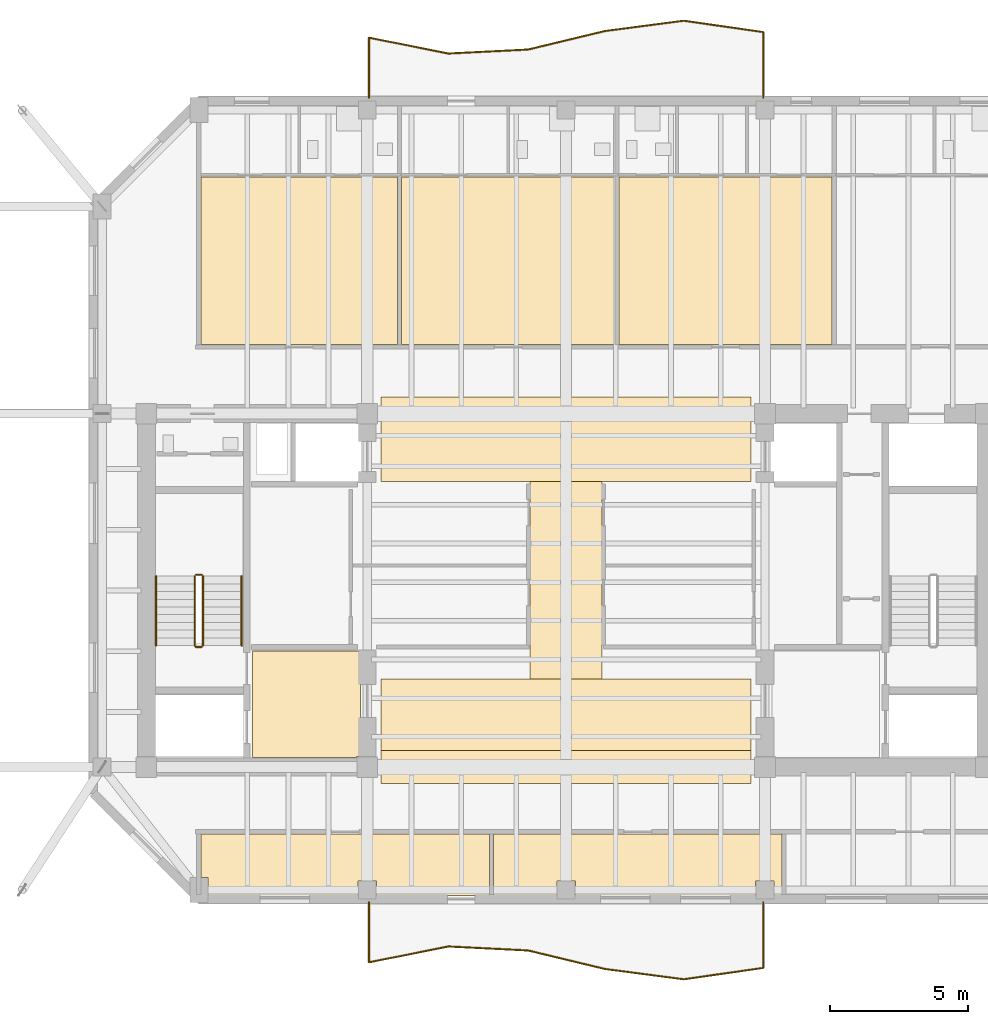
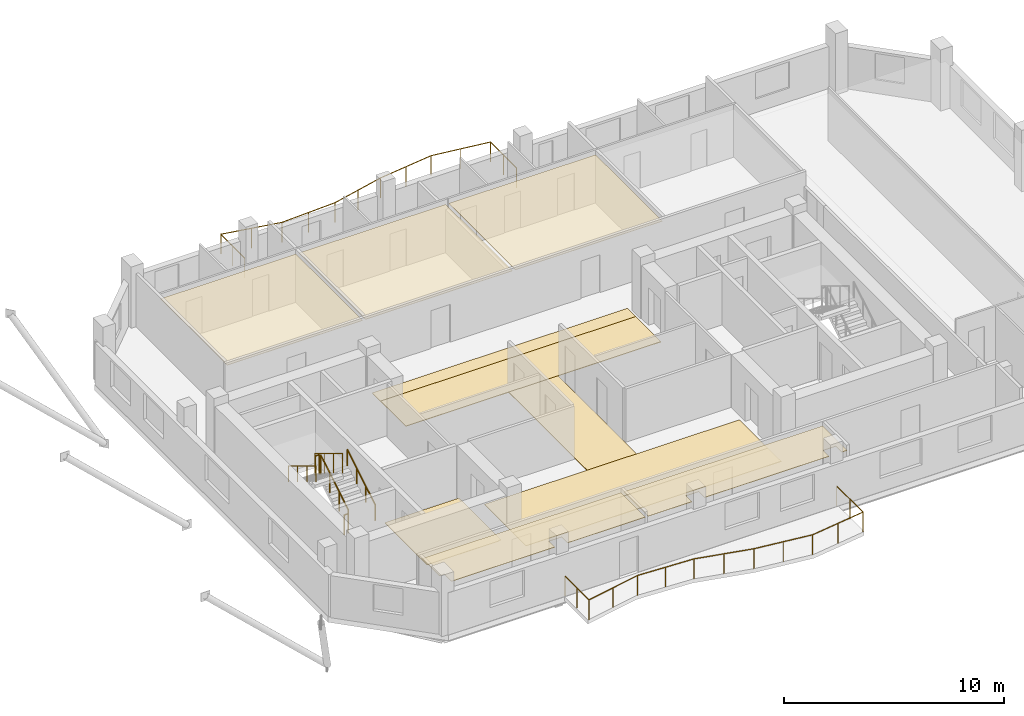
# One storey, part 8 of 10: 11 coverings, 8 railings.
"""IFC4 building model written with IfcOpenShell, lengths in metres."""

from ifc_helpers import new_model, si_unit, direction, frame, origin, origin_2d, place, context, subcontext, project, spatial, polyline, circle, outline, extrude, material, layer, layer_set, type_object, element, save


model = new_model("IFC4")

# Units and contexts
model_context = context("Model", 3, precision=1e-05, world=origin(), true_north=direction((0.0, 1.0)))
body_context = subcontext(model_context, "Body", "Model", "MODEL_VIEW")
ifc_project = project(units=[si_unit("LENGTHUNIT", "METRE"), si_unit("AREAUNIT", "SQUARE_METRE"), si_unit("VOLUMEUNIT", "CUBIC_METRE"), si_unit("PLANEANGLEUNIT", "RADIAN"), si_unit("MASSUNIT", "GRAM", prefix="KILO")], contexts=[model_context])

# Site, building, storey
site_placement = place(None, origin())
site = spatial("IfcSite", under=ifc_project, at=site_placement, CompositionType="ELEMENT")
building_placement = place(site_placement, origin())
building = spatial("IfcBuilding", under=site, at=building_placement, Name="Kranthara Brick Stack", CompositionType="ELEMENT")
storey_placement = place(building_placement, frame((0.0, 0.0, 265.300048828125)))
storey = spatial("IfcBuildingStorey", under=building, at=storey_placement, Name="L70", CompositionType="ELEMENT", Elevation=265.300048828125)

# Coverings
ifc_material_1 = material(Name="Perforated mineral-fibre acoustic ceiling tile", Category="other")
ifc_layer_1 = layer(ifc_material_1, 0.02490234375)
ifc_layer_set_1 = layer_set([ifc_layer_1], Name="Perforated mineral-fibre acoustic ceiling tile")
covering_type_1 = type_object("IfcCoveringType", Name="COV-CEIL-ACOUSTIC", PredefinedType="CEILING", material=ifc_layer_set_1)
covering_1_placement = place(storey_placement, frame((0.0, 0.0, 2.679931640625)))
element("IfcCovering", 1, at=covering_1_placement, inside=storey, type_object=covering_type_1, Name="L70 L70 Sky Club Observation Lounge 1 Acoustic Ceiling", PredefinedType="CEILING", context=body_context, shape_type="SweptSolid", body=[
    extrude(outline(polyline([(25.218017578125, 18.3798828125), (25.218017578125, 16.14990234375), (21.135009765625, 16.14990234375), (21.135009765625, 16.68505859375), (20.465087890625, 16.68505859375), (20.465087890625, 16.14990234375), (15.034912109375, 16.14990234375), (15.034912109375, 16.81005859375), (14.780029296875, 16.81005859375), (14.780029296875, 18.3798828125), (25.218017578125, 18.3798828125)])), origin(), (0.0, 0.0, 1.0), 0.02490234375),
])
covering_2_placement = place(storey_placement, frame((0.0, 0.0, 2.679931640625)))
element("IfcCovering", 2, at=covering_2_placement, inside=storey, type_object=covering_type_1, Name="L70 L70 Sky Club Observation Lounge 2 Acoustic Ceiling", PredefinedType="CEILING", context=body_context, shape_type="SweptSolid", body=[
    extrude(outline(polyline([(25.3779296875, 18.3798828125), (35.81591796875, 18.3798828125), (35.81591796875, 16.14990234375), (35.534912109375, 16.14990234375), (35.534912109375, 16.68505859375), (34.864990234375, 16.68505859375), (34.864990234375, 16.14990234375), (28.3349609375, 16.14990234375), (28.3349609375, 16.68505859375), (27.6650390625, 16.68505859375), (27.6650390625, 16.14990234375), (25.3779296875, 16.14990234375), (25.3779296875, 18.3798828125)])), origin(), (0.0, 0.0, 1.0), 0.02490234375),
])
covering_3_placement = place(storey_placement, frame((0.0, 0.0, 2.679931640625)))
element("IfcCovering", 3, at=covering_3_placement, inside=storey, type_object=covering_type_1, Name="L70 Unit L70A Studio Apartment Living Acoustic Ceiling", PredefinedType="CEILING", context=body_context, shape_type="SweptSolid", body=[
    extrude(outline(polyline([(21.886962890625, 36.10009765625), (21.886962890625, 42.169921875), (14.780029296875, 42.169921875), (14.780029296875, 36.10009765625), (21.886962890625, 36.10009765625)])), origin(), (0.0, 0.0, 1.0), 0.02490234375),
])
covering_4_placement = place(storey_placement, frame((0.0, 0.0, 2.679931640625)))
element("IfcCovering", 4, at=covering_4_placement, inside=storey, type_object=covering_type_1, Name="L70 Unit L70B Studio Apartment Living Acoustic Ceiling", PredefinedType="CEILING", context=body_context, shape_type="SweptSolid", body=[
    extrude(outline(polyline([(29.760009765625, 36.10009765625), (29.760009765625, 42.169921875), (22.047119140625, 42.169921875), (22.047119140625, 36.10009765625), (29.760009765625, 36.10009765625)])), origin(), (0.0, 0.0, 1.0), 0.02490234375),
])
covering_5_placement = place(storey_placement, frame((0.0, 0.0, 2.679931640625)))
element("IfcCovering", 5, at=covering_5_placement, inside=storey, type_object=covering_type_1, Name="L70 Unit L70C 1-Bed Apartment Living Dining Acoustic Ceiling", PredefinedType="CEILING", context=body_context, shape_type="SweptSolid", body=[
    extrude(outline(polyline([(37.633056640625, 36.10009765625), (37.633056640625, 42.169921875), (29.919921875, 42.169921875), (29.919921875, 36.10009765625), (37.633056640625, 36.10009765625)])), origin(), (0.0, 0.0, 1.0), 0.02490234375),
])
ifc_material_2 = material(Name="Honed terrazzo and porcelain floor finish", Category="stone")
ifc_layer_2 = layer(ifc_material_2, 0.030029296875)
ifc_layer_set_2 = layer_set([ifc_layer_2], Name="Honed terrazzo and porcelain floor finish")
covering_type_2 = type_object("IfcCoveringType", Name="COV-FLOR-STONE", PredefinedType="FLOORING", material=ifc_layer_set_2)
covering_6_placement = place(storey_placement, origin())
element("IfcCovering", 6, at=covering_6_placement, inside=storey, type_object=covering_type_2, Name="L70 Lift Lobby Stone Flooring", PredefinedType="FLOORING", context=body_context, shape_type="SweptSolid", body=[
    extrude(outline(polyline([(16.64990234375, 21.14990234375), (16.64990234375, 25.0), (20.550048828125, 25.0), (20.550048828125, 21.18505859375), (20.4150390625, 21.18505859375), (20.4150390625, 21.14990234375), (16.64990234375, 21.14990234375)])), origin(), (0.0, 0.0, 1.0), 0.030029296875),
])
covering_7_placement = place(storey_placement, origin())
element("IfcCovering", 7, at=covering_7_placement, inside=storey, type_object=covering_type_2, Name="L70 Lift Lobby Stone Flooring", PredefinedType="FLOORING", context=body_context, shape_type="SweptSolid", body=[
    extrude(outline(polyline([(34.699951171875, 21.39990234375), (34.699951171875, 24.0), (21.300048828125, 24.0), (21.300048828125, 21.39990234375), (34.699951171875, 21.39990234375)])), origin(), (0.0, 0.0, 1.0), 0.030029296875),
])
covering_8_placement = place(storey_placement, origin())
element("IfcCovering", 8, at=covering_8_placement, inside=storey, type_object=covering_type_2, Name="L70 Lift Lobby Stone Flooring", PredefinedType="FLOORING", context=body_context, shape_type="SweptSolid", body=[
    extrude(outline(polyline([(34.699951171875, 31.14990234375), (34.699951171875, 33.449951171875), (21.300048828125, 33.449951171875), (21.300048828125, 31.14990234375), (34.699951171875, 31.14990234375)])), origin(), (0.0, 0.0, 1.0), 0.030029296875),
])
covering_9_placement = place(storey_placement, origin())
element("IfcCovering", 9, at=covering_9_placement, inside=storey, type_object=covering_type_2, Name="L70 Lift Lobby Stone Flooring", PredefinedType="FLOORING", context=body_context, shape_type="SweptSolid", body=[
    extrude(outline(polyline([(29.300048828125, 24.0), (26.699951171875, 24.0), (26.699951171875, 31.14990234375), (29.300048828125, 31.14990234375), (29.300048828125, 24.0)])), origin(), (0.0, 0.0, 1.0), 0.030029296875),
])
covering_10_placement = place(storey_placement, origin())
element("IfcCovering", 10, at=covering_10_placement, inside=storey, type_object=covering_type_2, Name="L70 Lift Lobby Stone Flooring", PredefinedType="FLOORING", context=body_context, shape_type="SweptSolid", body=[
    extrude(outline(polyline([(34.699951171875, 20.199951171875), (21.300048828125, 20.199951171875), (21.300048828125, 21.39990234375), (34.699951171875, 21.39990234375), (34.699951171875, 20.199951171875)])), origin(), (0.0, 0.0, 1.0), 0.030029296875),
])
covering_11_placement = place(storey_placement, origin())
element("IfcCovering", 11, at=covering_11_placement, inside=storey, type_object=covering_type_2, Name="L70 Lift Lobby Stone Flooring", PredefinedType="FLOORING", context=body_context, shape_type="SweptSolid", body=[
    extrude(outline(polyline([(34.699951171875, 33.449951171875), (21.300048828125, 33.449951171875), (21.300048828125, 34.199951171875), (34.699951171875, 34.199951171875), (34.699951171875, 33.449951171875)])), origin(), (0.0, 0.0, 1.0), 0.030029296875),
])

# Railings
ifc_material_3 = material(Name="Bronze anodised aluminium and laminated glass balustrade", Category="aluminium")
railing_type_1 = type_object("IfcRailingType", Name="RL-BALC-1120", PredefinedType="BALUSTRADE", material=ifc_material_3)
railing_1_placement = place(storey_placement, frame((35.139892578125, 15.909912109375, 0.0)))
element("IfcRailing", 12, at=railing_1_placement, inside=storey, type_object=railing_type_1, Name="L70 South Rippling Balcony Balustrade", PredefinedType="BALUSTRADE", context=body_context, shape_type="SweptSolid", body=[
    extrude(circle(Radius=0.02392578125, at=origin_2d()), frame((0.0, 0.0, 1.09619140625), z_axis=(0.000205002046, -0.999999978987, 0.0), x_axis=(0.999999978987, 0.000205002046, 0.0)), (0.0, 0.0, 1.0), 2.3818359375),
    extrude(circle(Radius=0.02392578125, at=origin_2d()), frame((0.00048828125, -2.3818359375, 1.09619140625), z_axis=(-0.989917562728, -0.141644692818, 0.0), x_axis=(0.141644692818, -0.989917562728, 0.0)), (0.0, 0.0, 1.0), 2.90771484375),
    extrude(circle(Radius=0.02392578125, at=origin_2d()), frame((-2.8779296875, -2.793701171875, 1.09619140625), z_axis=(-0.991512377979, 0.130012323703, 0.0), x_axis=(-0.130012323703, -0.991512377979, 0.0)), (0.0, 0.0, 1.0), 2.8994140625),
    extrude(circle(Radius=0.02392578125, at=origin_2d()), frame((-5.752685546875, -2.416748046875, 1.09619140625), z_axis=(-0.972200139411, 0.234151423078, 0.0), x_axis=(-0.234151423078, -0.972200139411, 0.0)), (0.0, 0.0, 1.0), 2.846435546875),
    extrude(circle(Radius=0.02392578125, at=origin_2d()), frame((-8.52001953125, -1.750244140625, 1.09619140625), z_axis=(-0.998738789281, 0.050207875724, 0.0), x_axis=(-0.050207875724, -0.998738789281, 0.0)), (0.0, 0.0, 1.0), 2.883544921875),
    extrude(circle(Radius=0.02392578125, at=origin_2d()), frame((-11.39990234375, -1.60546875, 1.09619140625), z_axis=(-0.980634989514, -0.195844370204, 0.0), x_axis=(0.195844370204, -0.980634989514, 0.0)), (0.0, 0.0, 1.0), 2.93701171875),
    extrude(circle(Radius=0.02392578125, at=origin_2d()), frame((-14.280029296875, -2.1806640625, 1.09619140625), z_axis=(0.000111957008, 0.999999993733, 0.0), x_axis=(-0.999999993733, 0.000111957008, 0.0)), (0.0, 0.0, 1.0), 2.1806640625),
    extrude(circle(Radius=0.02099609375, at=origin_2d()), origin(), (0.0, 0.0, 1.0), 1.072021484375),
    extrude(circle(Radius=0.02099609375, at=origin_2d()), frame((0.000244140625, -1.19091796875, 0.0)), (0.0, 0.0, 1.0), 1.072021484375),
    extrude(circle(Radius=0.02099609375, at=origin_2d()), frame((0.00048828125, -2.3818359375, 0.0)), (0.0, 0.0, 1.0), 1.072021484375),
    extrude(circle(Radius=0.02099609375, at=origin_2d()), frame((-1.438720703125, -2.587890625, 0.0)), (0.0, 0.0, 1.0), 1.072021484375),
    extrude(circle(Radius=0.02099609375, at=origin_2d()), frame((-2.8779296875, -2.793701171875, 0.0)), (0.0, 0.0, 1.0), 1.072021484375),
    extrude(circle(Radius=0.02099609375, at=origin_2d()), frame((-4.3154296875, -2.605224609375, 0.0)), (0.0, 0.0, 1.0), 1.072021484375),
    extrude(circle(Radius=0.02099609375, at=origin_2d()), frame((-5.752685546875, -2.416748046875, 0.0)), (0.0, 0.0, 1.0), 1.072021484375),
    extrude(circle(Radius=0.02099609375, at=origin_2d()), frame((-7.13623046875, -2.08349609375, 0.0)), (0.0, 0.0, 1.0), 1.072021484375),
    extrude(circle(Radius=0.02099609375, at=origin_2d()), frame((-8.52001953125, -1.750244140625, 0.0)), (0.0, 0.0, 1.0), 1.072021484375),
    extrude(circle(Radius=0.02099609375, at=origin_2d()), frame((-9.9599609375, -1.677734375, 0.0)), (0.0, 0.0, 1.0), 1.072021484375),
    extrude(circle(Radius=0.02099609375, at=origin_2d()), frame((-11.39990234375, -1.60546875, 0.0)), (0.0, 0.0, 1.0), 1.072021484375),
    extrude(circle(Radius=0.02099609375, at=origin_2d()), frame((-12.83984375, -1.89306640625, 0.0)), (0.0, 0.0, 1.0), 1.072021484375),
    extrude(circle(Radius=0.02099609375, at=origin_2d()), frame((-14.280029296875, -2.1806640625, 0.0)), (0.0, 0.0, 1.0), 1.072021484375),
    extrude(circle(Radius=0.02099609375, at=origin_2d()), frame((-14.27978515625, -1.09033203125, 0.0)), (0.0, 0.0, 1.0), 1.072021484375),
    extrude(circle(Radius=0.02099609375, at=origin_2d()), frame((-14.27978515625, 0.0, 0.0)), (0.0, 0.0, 1.0), 1.072021484375),
])
railing_2_placement = place(storey_placement, frame((20.860107421875, 45.0400390625, 0.0)))
element("IfcRailing", 13, at=railing_2_placement, inside=storey, type_object=railing_type_1, Name="L70 North Rippling Balcony Balustrade", PredefinedType="BALUSTRADE", context=body_context, shape_type="SweptSolid", body=[
    extrude(circle(Radius=0.02392578125, at=origin_2d()), frame((0.0, 0.0, 1.09619140625), z_axis=(-0.000111957008, 0.999999993733, 0.0), x_axis=(-0.999999993733, -0.000111957008, 0.0)), (0.0, 0.0, 1.0), 2.1806640625),
    extrude(circle(Radius=0.02392578125, at=origin_2d()), frame((-0.000244140625, 2.1806640625, 1.09619140625), z_axis=(0.980634989514, -0.195844370204, 0.0), x_axis=(0.195844370204, 0.980634989514, 0.0)), (0.0, 0.0, 1.0), 2.93701171875),
    extrude(circle(Radius=0.02392578125, at=origin_2d()), frame((2.8798828125, 1.60546875, 1.09619140625), z_axis=(0.998738789281, 0.050207875724, 0.0), x_axis=(-0.050207875724, 0.998738789281, 0.0)), (0.0, 0.0, 1.0), 2.883544921875),
    extrude(circle(Radius=0.02392578125, at=origin_2d()), frame((5.759765625, 1.750244140625, 1.09619140625), z_axis=(0.972200139411, 0.234151423078, 0.0), x_axis=(-0.234151423078, 0.972200139411, 0.0)), (0.0, 0.0, 1.0), 2.846435546875),
    extrude(circle(Radius=0.02392578125, at=origin_2d()), frame((8.527099609375, 2.416748046875, 1.09619140625), z_axis=(0.991512377979, 0.130012323703, 0.0), x_axis=(-0.130012323703, 0.991512377979, 0.0)), (0.0, 0.0, 1.0), 2.8994140625),
    extrude(circle(Radius=0.02392578125, at=origin_2d()), frame((11.40185546875, 2.793701171875, 1.09619140625), z_axis=(0.989917562728, -0.141644692818, 0.0), x_axis=(0.141644692818, 0.989917562728, 0.0)), (0.0, 0.0, 1.0), 2.90771484375),
    extrude(circle(Radius=0.02392578125, at=origin_2d()), frame((14.2802734375, 2.3818359375, 1.09619140625), z_axis=(-0.000205002046, -0.999999978987, 0.0), x_axis=(0.999999978987, -0.000205002046, 0.0)), (0.0, 0.0, 1.0), 2.3818359375),
    extrude(circle(Radius=0.02099609375, at=origin_2d()), origin(), (0.0, 0.0, 1.0), 1.072021484375),
    extrude(circle(Radius=0.02099609375, at=origin_2d()), frame((0.0, 1.09033203125, 0.0)), (0.0, 0.0, 1.0), 1.072021484375),
    extrude(circle(Radius=0.02099609375, at=origin_2d()), frame((-0.000244140625, 2.1806640625, 0.0)), (0.0, 0.0, 1.0), 1.072021484375),
    extrude(circle(Radius=0.02099609375, at=origin_2d()), frame((1.43994140625, 1.89306640625, 0.0)), (0.0, 0.0, 1.0), 1.072021484375),
    extrude(circle(Radius=0.02099609375, at=origin_2d()), frame((2.8798828125, 1.60546875, 0.0)), (0.0, 0.0, 1.0), 1.072021484375),
    extrude(circle(Radius=0.02099609375, at=origin_2d()), frame((4.31982421875, 1.677734375, 0.0)), (0.0, 0.0, 1.0), 1.072021484375),
    extrude(circle(Radius=0.02099609375, at=origin_2d()), frame((5.759765625, 1.750244140625, 0.0)), (0.0, 0.0, 1.0), 1.072021484375),
    extrude(circle(Radius=0.02099609375, at=origin_2d()), frame((7.1435546875, 2.08349609375, 0.0)), (0.0, 0.0, 1.0), 1.072021484375),
    extrude(circle(Radius=0.02099609375, at=origin_2d()), frame((8.527099609375, 2.416748046875, 0.0)), (0.0, 0.0, 1.0), 1.072021484375),
    extrude(circle(Radius=0.02099609375, at=origin_2d()), frame((9.96435546875, 2.605224609375, 0.0)), (0.0, 0.0, 1.0), 1.072021484375),
    extrude(circle(Radius=0.02099609375, at=origin_2d()), frame((11.40185546875, 2.793701171875, 0.0)), (0.0, 0.0, 1.0), 1.072021484375),
    extrude(circle(Radius=0.02099609375, at=origin_2d()), frame((12.841064453125, 2.587890625, 0.0)), (0.0, 0.0, 1.0), 1.072021484375),
    extrude(circle(Radius=0.02099609375, at=origin_2d()), frame((14.2802734375, 2.3818359375, 0.0)), (0.0, 0.0, 1.0), 1.072021484375),
    extrude(circle(Radius=0.02099609375, at=origin_2d()), frame((14.280029296875, 1.19091796875, 0.0)), (0.0, 0.0, 1.0), 1.072021484375),
    extrude(circle(Radius=0.02099609375, at=origin_2d()), frame((14.27978515625, 0.0, 0.0)), (0.0, 0.0, 1.0), 1.072021484375),
])
ifc_material_4 = material(Name="Painted galvanized steel stair guardrail", Category="steel")
railing_type_2 = type_object("IfcRailingType", Name="RL-STAIR-GUARD-1100", PredefinedType="GUARDRAIL", material=ifc_material_4)
railing_3_placement = place(storey_placement, frame((14.85009765625, 25.199951171875, 0.169921875)))
element("IfcRailing", 14, at=railing_3_placement, inside=storey, type_object=railing_type_2, Name="L70 ST01 stair guard 1", PredefinedType="GUARDRAIL", context=body_context, shape_type="SweptSolid", body=[
    extrude(circle(Radius=0.02392578125, at=origin_2d()), frame((0.0, 0.0, 1.076171875), z_axis=(0.0, 0.85478489116, 0.518982456201), x_axis=(-1.0, 0.0, 0.0)), (0.0, 0.0, 1.0), 2.9482421875),
    extrude(circle(Radius=0.02099609375, at=origin_2d()), origin(), (0.0, 0.0, 1.0), 1.052001953125),
    extrude(circle(Radius=0.02099609375, at=origin_2d()), frame((0.0, 0.840087890625, 0.510009765625)), (0.0, 0.0, 1.0), 1.052001953125),
    extrude(circle(Radius=0.02099609375, at=origin_2d()), frame((0.0, 1.679931640625, 1.02001953125)), (0.0, 0.0, 1.0), 1.052001953125),
    extrude(circle(Radius=0.02099609375, at=origin_2d()), frame((0.0, 2.52001953125, 1.530029296875)), (0.0, 0.0, 1.0), 1.052001953125),
])
railing_4_placement = place(storey_placement, frame((14.800048828125, 27.77001953125, 1.699951171875)))
element("IfcRailing", 15, at=railing_4_placement, inside=storey, type_object=railing_type_2, Name="L70 ST01 stair guard 2", PredefinedType="GUARDRAIL", context=body_context, shape_type="SweptSolid", body=[
    extrude(circle(Radius=0.02392578125, at=origin_2d()), frame((0.0, 0.0, 1.076171875), z_axis=(-1.0, 0.0, 0.0), x_axis=(0.0, -1.0, 0.0)), (0.0, 0.0, 1.0), 0.199951171875),
    extrude(circle(Radius=0.02099609375, at=origin_2d()), origin(), (0.0, 0.0, 1.0), 1.052001953125),
    extrude(circle(Radius=0.02099609375, at=origin_2d()), frame((-0.199951171875, 0.0, 0.0)), (0.0, 0.0, 1.0), 1.052001953125),
])
railing_5_placement = place(storey_placement, frame((14.550048828125, 27.719970703125, 1.869873046875)))
element("IfcRailing", 16, at=railing_5_placement, inside=storey, type_object=railing_type_2, Name="L70 ST01 stair guard 3", PredefinedType="GUARDRAIL", context=body_context, shape_type="SweptSolid", body=[
    extrude(circle(Radius=0.02392578125, at=origin_2d()), frame((0.0, 0.0, 1.076171875), z_axis=(0.0, -0.85478489116, 0.518982456201), x_axis=(1.0, 0.0, 0.0)), (0.0, 0.0, 1.0), 2.9482421875),
    extrude(circle(Radius=0.02099609375, at=origin_2d()), origin(), (0.0, 0.0, 1.0), 1.052001953125),
    extrude(circle(Radius=0.02099609375, at=origin_2d()), frame((0.0, -0.840087890625, 0.510009765625)), (0.0, 0.0, 1.0), 1.052001953125),
    extrude(circle(Radius=0.02099609375, at=origin_2d()), frame((0.0, -1.679931640625, 1.02001953125)), (0.0, 0.0, 1.0), 1.052001953125),
    extrude(circle(Radius=0.02099609375, at=origin_2d()), frame((0.0, -2.52001953125, 1.530029296875)), (0.0, 0.0, 1.0), 1.052001953125),
])
railing_6_placement = place(storey_placement, frame((14.800048828125, 25.14990234375, 0.0)))
element("IfcRailing", 17, at=railing_6_placement, inside=storey, type_object=railing_type_2, Name="L70 ST01 stair guard 4", PredefinedType="GUARDRAIL", context=body_context, shape_type="SweptSolid", body=[
    extrude(circle(Radius=0.02392578125, at=origin_2d()), frame((0.0, 0.0, 1.076171875), z_axis=(-1.0, 0.0, 0.0), x_axis=(0.0, -1.0, 0.0)), (0.0, 0.0, 1.0), 0.199951171875),
    extrude(circle(Radius=0.02099609375, at=origin_2d()), origin(), (0.0, 0.0, 1.0), 1.052001953125),
    extrude(circle(Radius=0.02099609375, at=origin_2d()), frame((-0.199951171875, 0.0, 0.0)), (0.0, 0.0, 1.0), 1.052001953125),
])
ifc_material_5 = material(Name="Brushed stainless steel tubular handrail", Category="steel")
railing_type_3 = type_object("IfcRailingType", Name="RL-STAIR-HAND-900", PredefinedType="HANDRAIL", material=ifc_material_5)
railing_7_placement = place(storey_placement, frame((16.25, 25.199951171875, 0.169921875)))
element("IfcRailing", 18, at=railing_7_placement, inside=storey, type_object=railing_type_3, Name="L70 ST01 stair handrail 1", PredefinedType="HANDRAIL", context=body_context, shape_type="SweptSolid", body=[
    extrude(circle(Radius=0.02392578125, at=origin_2d()), frame((0.0, 0.0, 0.8759765625), z_axis=(0.0, 0.85478489116, 0.518982456201), x_axis=(-1.0, 0.0, 0.0)), (0.0, 0.0, 1.0), 2.9482421875),
    extrude(circle(Radius=0.02099609375, at=origin_2d()), origin(), (0.0, 0.0, 1.0), 0.851806640625),
    extrude(circle(Radius=0.02099609375, at=origin_2d()), frame((0.0, 0.840087890625, 0.510009765625)), (0.0, 0.0, 1.0), 0.851806640625),
    extrude(circle(Radius=0.02099609375, at=origin_2d()), frame((0.0, 1.679931640625, 1.02001953125)), (0.0, 0.0, 1.0), 0.851806640625),
    extrude(circle(Radius=0.02099609375, at=origin_2d()), frame((0.0, 2.52001953125, 1.530029296875)), (0.0, 0.0, 1.0), 0.851806640625),
])
railing_8_placement = place(storey_placement, frame((13.14990234375, 27.719970703125, 1.869873046875)))
element("IfcRailing", 19, at=railing_8_placement, inside=storey, type_object=railing_type_3, Name="L70 ST01 stair handrail 2", PredefinedType="HANDRAIL", context=body_context, shape_type="SweptSolid", body=[
    extrude(circle(Radius=0.02392578125, at=origin_2d()), frame((0.0, 0.0, 0.8759765625), z_axis=(0.0, -0.85478489116, 0.518982456201), x_axis=(1.0, 0.0, 0.0)), (0.0, 0.0, 1.0), 2.9482421875),
    extrude(circle(Radius=0.02099609375, at=origin_2d()), origin(), (0.0, 0.0, 1.0), 0.851806640625),
    extrude(circle(Radius=0.02099609375, at=origin_2d()), frame((0.0, -0.840087890625, 0.510009765625)), (0.0, 0.0, 1.0), 0.851806640625),
    extrude(circle(Radius=0.02099609375, at=origin_2d()), frame((0.0, -1.679931640625, 1.02001953125)), (0.0, 0.0, 1.0), 0.851806640625),
    extrude(circle(Radius=0.02099609375, at=origin_2d()), frame((0.0, -2.52001953125, 1.530029296875)), (0.0, 0.0, 1.0), 0.851806640625),
])

save(model, "model.ifc")
